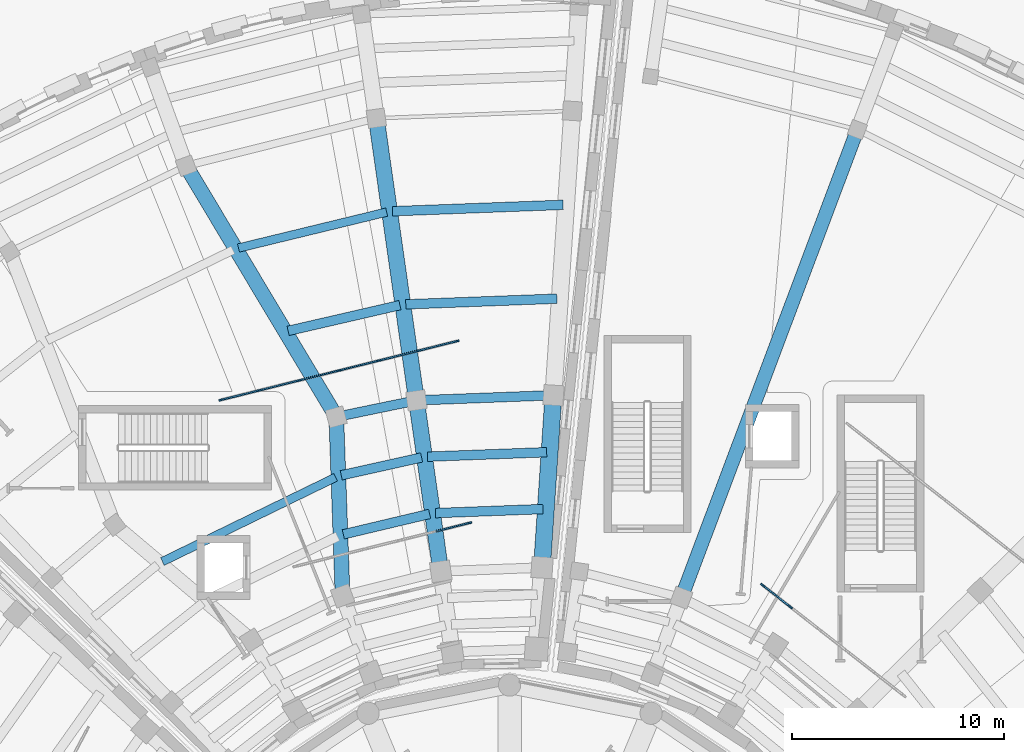
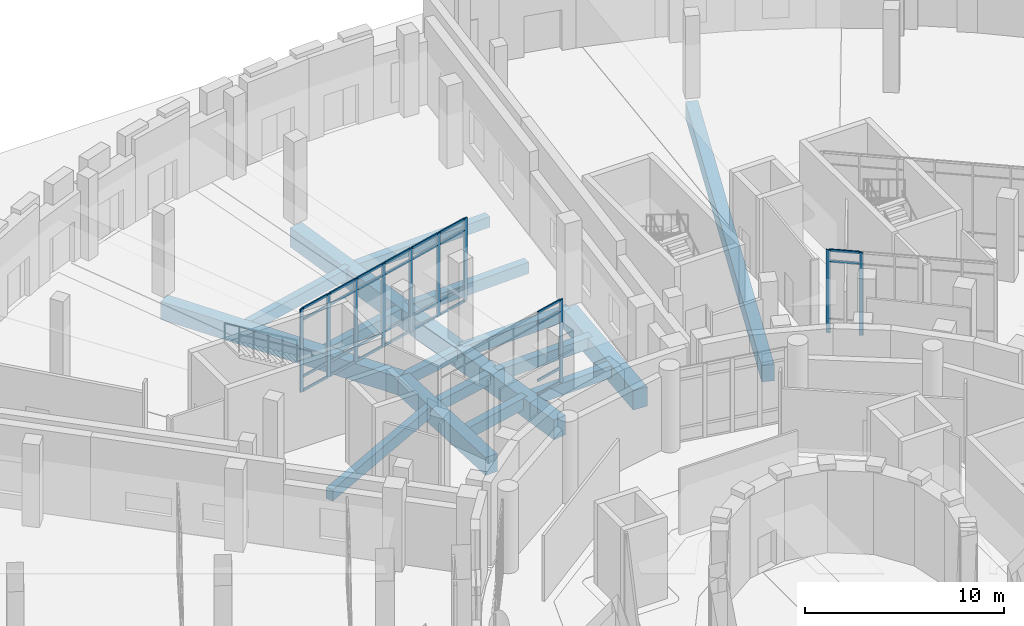
# One storey, part 25 of 74: 40 members, 17 beams, 3 elements without a shape of their own.
"""IFC4 building model written with IfcOpenShell, lengths in metres."""

import ifcopenshell
import ifcopenshell.guid

model = None  # the IFC model being written
_history = None  # IfcOwnerHistory: only IFC2X3 demands one
_inside = {}  # id of a spatial element -> (the spatial element, [elements in it])
_under = {}  # id of a project, library or spatial element -> (it, [spatial elements below it])
_declared = {}  # id of a project -> (the project, [libraries it declares])
_typed = {}  # id of a type object -> (the type object, [elements of that type])
_made_of = {}  # id of a material, layer set ... -> (it, [elements and type objects made of it])


def new_model(schema):
    """Start an empty IFC model of exactly this schema.

    Asked for "IFC4X3", IfcOpenShell would pick the latest addendum, in which some entities
    have other attributes; the version numbers below select the first issue.
    IFC2X3 requires an IfcOwnerHistory on every rooted entity: one is made here for all.
    """
    global model, _history
    if schema == "IFC4X3":
        model = ifcopenshell.file(schema_version=(4, 3, 0, 0))
    else:
        model = ifcopenshell.file(schema=schema)
    _inside.clear()
    _under.clear()
    _declared.clear()
    _typed.clear()
    _made_of.clear()
    _history = None
    if model.schema == "IFC2X3":
        org = make("IfcOrganization", Name="unknown")
        user = make(
            "IfcPersonAndOrganization",
            ThePerson=make("IfcPerson", FamilyName="unknown"),
            TheOrganization=org,
        )
        app = make(
            "IfcApplication",
            ApplicationDeveloper=org,
            Version="unknown",
            ApplicationFullName="unknown",
            ApplicationIdentifier="unknown",
        )
        _history = make(
            "IfcOwnerHistory",
            OwningUser=user,
            OwningApplication=app,
            ChangeAction="ADDED",
            CreationDate=0,
        )
    return model


def make(cls, **values):
    """One entity of the class cls with the attributes given. An attribute that is None is left unset."""
    return model.create_entity(
        cls, **{name: value for name, value in values.items() if value is not None}
    )


def rooted(cls, **values):
    """An entity with a GlobalId (a new one), such as an element, a storey or a relation."""
    return make(cls, GlobalId=ifcopenshell.guid.new(), OwnerHistory=_history, **values)


def si_unit(unit_type, name, prefix=None):
    """IfcSIUnit, for example si_unit("LENGTHUNIT", "METRE", prefix="MILLI")."""
    return make("IfcSIUnit", UnitType=unit_type, Prefix=prefix, Name=name)


def assignment(units):
    """IfcUnitAssignment: the units of a project."""
    return None if units is None else make("IfcUnitAssignment", Units=units)


def point(xyz):
    """IfcCartesianPoint."""
    return None if xyz is None else make("IfcCartesianPoint", Coordinates=xyz)


def direction(xyz):
    """IfcDirection."""
    return None if xyz is None else make("IfcDirection", DirectionRatios=xyz)


def frame(location, z_axis=None, x_axis=None):
    """IfcAxis2Placement3D, a coordinate frame: its origin and axes. An axis left out is left unset."""
    return make(
        "IfcAxis2Placement3D",
        Location=point(location),
        Axis=direction(z_axis),
        RefDirection=direction(x_axis),
    )


def frame_2d(location, x_axis=None):
    """IfcAxis2Placement2D, a coordinate frame in the plane: its origin and x axis."""
    return make(
        "IfcAxis2Placement2D", Location=point(location), RefDirection=direction(x_axis)
    )


def origin():
    """The frame at (0, 0, 0) with its axes left unset."""
    return frame((0.0, 0.0, 0.0))


def origin_2d():
    """The frame at (0, 0) in the plane with its x axis left unset."""
    return frame_2d((0.0, 0.0))


def place(relative_to, where):
    """IfcLocalPlacement: puts the frame where relative to a parent placement (None: the world)."""
    return make(
        "IfcLocalPlacement", PlacementRelTo=relative_to, RelativePlacement=where
    )


def context(
    kind, dimensions, precision=None, world=None, true_north=None, identifier=None
):
    """IfcGeometricRepresentationContext, for example the 3D "Model" context."""
    return make(
        "IfcGeometricRepresentationContext",
        ContextIdentifier=identifier,
        ContextType=kind,
        CoordinateSpaceDimension=dimensions,
        Precision=precision,
        WorldCoordinateSystem=world,
        TrueNorth=true_north,
    )


def subcontext(parent, identifier, kind, view, scale=None):
    """IfcGeometricRepresentationSubContext, for example "Body" below "Model"."""
    return make(
        "IfcGeometricRepresentationSubContext",
        ContextIdentifier=identifier,
        ContextType=kind,
        ParentContext=parent,
        TargetScale=scale,
        TargetView=view,
    )


def project(units=None, contexts=None):
    """IfcProject with its units and contexts."""
    return rooted(
        "IfcProject",
        Name="project",
        RepresentationContexts=contexts,
        UnitsInContext=assignment(units),
    )


def spatial(cls, under=None, at=None, **own):
    """A site, building, storey or space (cls), placed at a placement, below another one or the project."""
    s = rooted(cls, ObjectPlacement=at, **own)
    if under is not None:
        _under.setdefault(under.id(), (under, []))[1].append(s)
    return s


def profile(cls, at=None, kind="AREA", **sizes):
    """A parametric profile (cls). Its sizes go by their IFC names, for example OverallWidth=200.0."""
    return make(cls, ProfileType=kind, Position=at, **sizes)


def rectangle(**sizes):
    """IfcRectangleProfileDef."""
    return profile("IfcRectangleProfileDef", **sizes)


def extrude(swept, where, along, depth):
    """IfcExtrudedAreaSolid: the profile swept, set in the frame where, extruded along a direction by depth."""
    return make(
        "IfcExtrudedAreaSolid",
        SweptArea=swept,
        Position=where,
        ExtrudedDirection=direction(along),
        Depth=depth,
    )


def shape(context_of_items, identifier, shape_type, items):
    """IfcShapeRepresentation: the items that make up one representation, for example the "Body"."""
    return make(
        "IfcShapeRepresentation",
        ContextOfItems=context_of_items,
        RepresentationIdentifier=identifier,
        RepresentationType=shape_type,
        Items=items,
    )


def material(Name=None, Category=None):
    """IfcMaterial."""
    return make("IfcMaterial", Name=Name, Category=Category)


def material_profile(
    of_material, cross_section, Name=None, Category=None, Priority=None
):
    """IfcMaterialProfile: a cross section and its material."""
    return make(
        "IfcMaterialProfile",
        Name=Name,
        Material=of_material,
        Profile=cross_section,
        Priority=Priority,
        Category=Category,
    )


def profile_set(profiles, Name=None, composite=None):
    """IfcMaterialProfileSet."""
    return make(
        "IfcMaterialProfileSet",
        Name=Name,
        MaterialProfiles=profiles,
        CompositeProfile=composite,
    )


def made_of(thing, what):
    """Note that an element or type object is made of a material, layer set ...; save() writes the relation."""
    if what is not None:
        _made_of.setdefault(what.id(), (what, []))[1].append(thing)
    return thing


def type_object(cls, material=None, **own):
    """A type object (cls), such as IfcWallType, which elements share."""
    return made_of(rooted(cls, **own), material)


def element(
    cls,
    number,
    at=None,
    inside=None,
    cuts=None,
    type_object=None,
    material=None,
    context=None,
    identifier="Body",
    shape_type=None,
    held_by="IfcProductDefinitionShape",
    body=None,
    shapes=None,
    **own,
):
    """One element of the class cls, such as IfcWall. Its Tag is "e" and its number.

    at: its placement. inside: the storey or other place that contains it. cuts: it is an
    opening in that element (IfcRelVoidsElement). A single representation is given by context,
    identifier, shape_type and body (its items); several are given by shapes. held_by: the class
    of the entity that holds the representations. save() writes the other relations.
    """
    e = rooted(cls, Tag="e%d" % number, ObjectPlacement=at, **own)
    if body is not None:
        shapes = [shape(context, identifier, shape_type, body)]
    if shapes is not None:
        e.Representation = make(held_by, Representations=shapes)
    if inside is not None:
        _inside.setdefault(inside.id(), (inside, []))[1].append(e)
    if cuts is not None:
        rooted(
            "IfcRelVoidsElement", RelatingBuildingElement=cuts, RelatedOpeningElement=e
        )
    if type_object is not None:
        _typed.setdefault(type_object.id(), (type_object, []))[1].append(e)
    return made_of(e, material)


def aggregate(whole, parts):
    """IfcRelAggregates: a whole, such as a stair, and the parts it consists of."""
    return rooted("IfcRelAggregates", RelatingObject=whole, RelatedObjects=parts)


def save(model, path):
    """Write the relations noted so far, then the file.

    IfcRelAggregates (storeys below a building ...), IfcRelContainedInSpatialStructure (elements
    in a storey), IfcRelDefinesByType, IfcRelAssociatesMaterial and IfcRelDeclares: one each for
    every whole, place, type object, material and project.
    """
    for whole, parts in _under.values():
        aggregate(whole, parts)
    for where, things in _inside.values():
        rooted(
            "IfcRelContainedInSpatialStructure",
            RelatedElements=things,
            RelatingStructure=where,
        )
    for kind, things in _typed.values():
        rooted("IfcRelDefinesByType", RelatedObjects=things, RelatingType=kind)
    for what, things in _made_of.values():
        rooted("IfcRelAssociatesMaterial", RelatedObjects=things, RelatingMaterial=what)
    for by, libraries in _declared.values():
        rooted("IfcRelDeclares", RelatingContext=by, RelatedDefinitions=libraries)
    model.write(path)


model = new_model("IFC4")

# Units and contexts
model_context = context("Model", 3, precision=1e-05, world=origin(), true_north=direction((0.0, 1.0)))
body_context = subcontext(model_context, "Body", "Model", "MODEL_VIEW")
ifc_project = project(units=[si_unit("LENGTHUNIT", "METRE"), si_unit("AREAUNIT", "SQUARE_METRE"), si_unit("VOLUMEUNIT", "CUBIC_METRE"), si_unit("PLANEANGLEUNIT", "RADIAN"), si_unit("MASSUNIT", "GRAM", prefix="KILO")], contexts=[model_context])

# Site, building, storey
site_placement = place(None, origin())
site = spatial("IfcSite", under=ifc_project, at=site_placement, CompositionType="ELEMENT")
building_placement = place(site_placement, origin())
building = spatial("IfcBuilding", under=site, at=building_placement, Name="Soyqirgoq Riverine Aquarium", CompositionType="ELEMENT")
storey_placement = place(building_placement, origin())
storey = spatial("IfcBuildingStorey", under=building, at=storey_placement, Name="L01", CompositionType="ELEMENT", Elevation=0.0)

# Beams
ifc_material_1 = material(Name="Concrete C40/50", Category="concrete")
ifc_material_profile_1 = material_profile(ifc_material_1, rectangle(XDim=0.39990234375, YDim=0.699951171875, at=origin_2d()), Name="RC 400x700")
ifc_profile_set_1 = profile_set([ifc_material_profile_1], Name="Concrete C40/50")
beam_type_1 = type_object("IfcBeamType", Name="Beam_RC_400x700", PredefinedType="BEAM", material=ifc_profile_set_1)
beam_1_placement = place(storey_placement, frame((47.791748046875, 84.25927734375, -0.699951171875), z_axis=(-0.899175148102, -0.437588908722, 0.0), x_axis=(0.437588908722, -0.899175148102, 0.0)))
element("IfcBeam", 1, at=beam_1_placement, inside=storey, type_object=beam_type_1, Name="V4 L01 Secondary Floor Joist 0507", PredefinedType="BEAM", context=body_context, shape_type="SweptSolid", body=[
    extrude(rectangle(XDim=0.39990234375, YDim=0.699951171875, at=origin_2d()), origin(), (0.0, 0.0, 1.0), 9.09521484375),
])
beam_2_placement = place(storey_placement, frame((50.197998046875, 96.77734375, -0.699951171875), z_axis=(-0.971787927417, -0.235856363336, 0.0), x_axis=(0.235856363336, -0.971787927417, 0.0)))
element("IfcBeam", 2, at=beam_2_placement, inside=storey, type_object=beam_type_1, Name="V4 L01 Secondary Floor Joist 0516", PredefinedType="BEAM", context=body_context, shape_type="SweptSolid", body=[
    extrude(rectangle(XDim=0.39990234375, YDim=0.699951171875, at=origin_2d()), origin(), (0.0, 0.0, 1.0), 7.1962890625),
])
ifc_material_2 = material(Name="Concrete C40/50", Category="concrete")
ifc_material_profile_2 = material_profile(ifc_material_2, rectangle(XDim=0.449951171875, YDim=0.64990234375, at=origin_2d()), Name="RC 450x650")
ifc_profile_set_2 = profile_set([ifc_material_profile_2], Name="Concrete C40/50")
beam_type_2 = type_object("IfcBeamType", Name="Beam_RC_450x650", PredefinedType="BEAM", material=ifc_profile_set_2)
beam_3_placement = place(storey_placement, frame((51.84619140625, 85.195556640625, -0.675048828125), z_axis=(-0.976074551465, -0.217436128513, 0.0), x_axis=(0.217436128513, -0.976074551465, 0.0)))
element("IfcBeam", 3, at=beam_3_placement, inside=storey, type_object=beam_type_2, Name="V4 L01 Secondary Floor Joist 0505", PredefinedType="BEAM", context=body_context, shape_type="SweptSolid", body=[
    extrude(rectangle(XDim=0.449951171875, YDim=0.64990234375, at=origin_2d()), origin(), (0.0, 0.0, 1.0), 3.885009765625),
])
beam_4_placement = place(storey_placement, frame((51.554931640625, 87.878662109375, -0.675048828125), z_axis=(-0.979400860491, -0.20192561618, 0.0), x_axis=(0.20192561618, -0.979400860491, 0.0)))
element("IfcBeam", 4, at=beam_4_placement, inside=storey, type_object=beam_type_2, Name="V4 L01 Wedge Chord Beam 0511", PredefinedType="BEAM", context=body_context, shape_type="SweptSolid", body=[
    extrude(rectangle(XDim=0.449951171875, YDim=0.64990234375, at=origin_2d()), origin(), (0.0, 0.0, 1.0), 3.763916015625),
])
beam_5_placement = place(storey_placement, frame((58.52490234375, 97.117919921875, -0.675048828125), z_axis=(-0.999296026099, -0.03751602621, 0.0), x_axis=(0.03751602621, -0.999296026099, 0.0)))
element("IfcBeam", 5, at=beam_5_placement, inside=storey, type_object=beam_type_2, Name="V4 L01 Secondary Floor Joist 0514", PredefinedType="BEAM", context=body_context, shape_type="SweptSolid", body=[
    extrude(rectangle(XDim=0.449951171875, YDim=0.64990234375, at=origin_2d()), origin(), (0.0, 0.0, 1.0), 8.056396484375),
])
beam_6_placement = place(storey_placement, frame((50.822998046875, 92.384765625, -0.675048828125), z_axis=(-0.974458007266, -0.224569793329, 0.0), x_axis=(0.224569793329, -0.974458007266, 0.0)))
element("IfcBeam", 6, at=beam_6_placement, inside=storey, type_object=beam_type_2, Name="V4 L01 Secondary Floor Joist 0515", PredefinedType="BEAM", context=body_context, shape_type="SweptSolid", body=[
    extrude(rectangle(XDim=0.449951171875, YDim=0.64990234375, at=origin_2d()), origin(), (0.0, 0.0, 1.0), 5.416259765625),
])
ifc_material_3 = material(Name="Concrete C40/50", Category="concrete")
ifc_material_profile_3 = material_profile(ifc_material_3, rectangle(XDim=0.449951171875, YDim=0.699951171875, at=origin_2d()), Name="RC 450x700")
ifc_profile_set_3 = profile_set([ifc_material_profile_3], Name="Concrete C40/50")
beam_type_3 = type_object("IfcBeamType", Name="Beam_RC_450x700", PredefinedType="BEAM", material=ifc_profile_set_3)
beam_7_placement = place(storey_placement, frame((57.74951171875, 85.442626953125, -0.699951171875), z_axis=(-0.999294791735, -0.037548890946, 0.0), x_axis=(0.037548890946, -0.999294791735, 0.0)))
element("IfcBeam", 7, at=beam_7_placement, inside=storey, type_object=beam_type_3, Name="V4 L01 Secondary Floor Joist 0503", PredefinedType="BEAM", context=body_context, shape_type="SweptSolid", body=[
    extrude(rectangle(XDim=0.449951171875, YDim=0.699951171875, at=origin_2d()), origin(), (0.0, 0.0, 1.0), 5.630615234375),
])
beam_8_placement = place(storey_placement, frame((52.2255859375, 82.531005859375, -0.699951171875), z_axis=(-0.973004184132, -0.230787472931, 0.0), x_axis=(0.230787472931, -0.973004184132, 0.0)))
element("IfcBeam", 8, at=beam_8_placement, inside=storey, type_object=beam_type_3, Name="V4 L01 Secondary Floor Joist 0504", PredefinedType="BEAM", context=body_context, shape_type="SweptSolid", body=[
    extrude(rectangle(XDim=0.449951171875, YDim=0.699951171875, at=origin_2d()), origin(), (0.0, 0.0, 1.0), 4.18701171875),
])
beam_9_placement = place(storey_placement, frame((58.017578125, 88.12939453125, -0.699951171875), z_axis=(-0.999296861804, -0.037493759336, 0.0), x_axis=(0.037493759336, -0.999296861804, 0.0)))
element("IfcBeam", 9, at=beam_9_placement, inside=storey, type_object=beam_type_3, Name="V4 L01 Wedge Chord Beam 0510", PredefinedType="BEAM", context=body_context, shape_type="SweptSolid", body=[
    extrude(rectangle(XDim=0.449951171875, YDim=0.699951171875, at=origin_2d()), origin(), (0.0, 0.0, 1.0), 6.3681640625),
])
beam_10_placement = place(storey_placement, frame((58.23095703125, 92.689208984375, -0.699951171875), z_axis=(-0.999295532378, -0.037529174906, 0.0), x_axis=(0.037529174906, -0.999295532378, 0.0)))
element("IfcBeam", 10, at=beam_10_placement, inside=storey, type_object=beam_type_3, Name="V4 L01 Secondary Floor Joist 0513", PredefinedType="BEAM", context=body_context, shape_type="SweptSolid", body=[
    extrude(rectangle(XDim=0.449951171875, YDim=0.699951171875, at=origin_2d()), origin(), (0.0, 0.0, 1.0), 7.136474609375),
])
ifc_material_4 = material(Name="Concrete C40/50", Category="concrete")
ifc_material_profile_4 = material_profile(ifc_material_4, rectangle(XDim=0.449951171875, YDim=0.75, at=origin_2d()), Name="RC 450x750")
ifc_profile_set_4 = profile_set([ifc_material_profile_4], Name="Concrete C40/50")
beam_type_4 = type_object("IfcBeamType", Name="Beam_RC_450x750", PredefinedType="BEAM", material=ifc_profile_set_4)
beam_11_placement = place(storey_placement, frame((57.5712890625, 82.759033203125, -0.72509765625), z_axis=(-0.999295248441, -0.037536734591, 0.0), x_axis=(0.037536734591, -0.999295248441, 0.0)))
element("IfcBeam", 11, at=beam_11_placement, inside=storey, type_object=beam_type_4, Name="V4 L01 Secondary Floor Joist 0502", PredefinedType="BEAM", context=body_context, shape_type="SweptSolid", body=[
    extrude(rectangle(XDim=0.449951171875, YDim=0.75, at=origin_2d()), origin(), (0.0, 0.0, 1.0), 5.0732421875),
])

# Curtain wall, member
ifc_material_5 = material(Name="Cast polymethyl methacrylate PMMA Habitat Viewing Glazing", Category="glass")
curtain_wall_type = type_object("IfcCurtainWallType", Name="CW_Interior_TankVitrine", PredefinedType="NOTDEFINED", material=ifc_material_5)
curtain_wall_1_placement = place(storey_placement, origin())
curtain_wall_1 = element("IfcCurtainWall", 12, at=curtain_wall_1_placement, inside=storey, type_object=curtain_wall_type, Name="V4 L01 Curtain Wall 151", PredefinedType="NOTDEFINED")
ifc_material_6 = material(Name="Anodised aluminium 6063-T6", Category="aluminium")
ifc_material_profile_5 = material_profile(ifc_material_6, rectangle(XDim=0.080078125, YDim=0.219970703125, at=origin_2d()), Name="ALU-M 80x220")
ifc_profile_set_5 = profile_set([ifc_material_profile_5], Name="Anodised aluminium 6063-T6")
member_type_1 = type_object("IfcMemberType", Name="CWMullion_80x220", PredefinedType="MULLION", material=ifc_profile_set_5)
member_1_placement = place(storey_placement, frame((54.106201171875, 82.104736328125, 0.0), z_axis=(0.0, 0.0, 1.0), x_axis=(0.241922023881, -0.970295694292, 0.0)))
member_1 = element("IfcMember", 13, at=member_1_placement, type_object=member_type_1, Name="CW-07 mullion 1", PredefinedType="MULLION", context=body_context, shape_type="SweptSolid", body=[
    extrude(rectangle(XDim=0.080078125, YDim=0.219970703125, at=origin_2d()), origin(), (0.0, 0.0, 1.0), 5.10009765625),
])

# Curtain wall, members
curtain_wall_2_placement = place(storey_placement, origin())
curtain_wall_2 = element("IfcCurtainWall", 14, at=curtain_wall_2_placement, inside=storey, type_object=curtain_wall_type, Name="V4 L01 Curtain Wall 152", PredefinedType="NOTDEFINED")
member_2_placement = place(storey_placement, frame((53.50634765625, 90.683837890625, 0.0), z_axis=(0.0, 0.0, 1.0), x_axis=(0.241925862079, -0.970294737313, 0.0)))
member_2 = element("IfcMember", 15, at=member_2_placement, type_object=member_type_1, Name="CW-07 mullion 1", PredefinedType="MULLION", context=body_context, shape_type="SweptSolid", body=[
    extrude(rectangle(XDim=0.080078125, YDim=0.219970703125, at=origin_2d()), origin(), (0.0, 0.0, 1.0), 5.10009765625),
])
member_3_placement = place(storey_placement, frame((51.67919921875, 90.228271484375, 0.0), z_axis=(0.0, 0.0, 1.0), x_axis=(0.241925862079, -0.970294737313, 0.0)))
member_3 = element("IfcMember", 16, at=member_3_placement, type_object=member_type_1, Name="CW-07 mullion 2", PredefinedType="MULLION", context=body_context, shape_type="SweptSolid", body=[
    extrude(rectangle(XDim=0.080078125, YDim=0.219970703125, at=origin_2d()), origin(), (0.0, 0.0, 1.0), 5.10009765625),
])
member_4_placement = place(storey_placement, frame((49.813232421875, 89.762939453125, 0.0), z_axis=(0.0, 0.0, 1.0), x_axis=(0.241925862079, -0.970294737313, 0.0)))
member_4 = element("IfcMember", 17, at=member_4_placement, type_object=member_type_1, Name="CW-07 mullion 3", PredefinedType="MULLION", context=body_context, shape_type="SweptSolid", body=[
    extrude(rectangle(XDim=0.080078125, YDim=0.219970703125, at=origin_2d()), origin(), (0.0, 0.0, 1.0), 5.10009765625),
])
member_5_placement = place(storey_placement, frame((47.947265625, 89.2978515625, 0.0), z_axis=(0.0, 0.0, 1.0), x_axis=(0.241925862079, -0.970294737313, 0.0)))
member_5 = element("IfcMember", 18, at=member_5_placement, type_object=member_type_1, Name="CW-07 mullion 4", PredefinedType="MULLION", context=body_context, shape_type="SweptSolid", body=[
    extrude(rectangle(XDim=0.080078125, YDim=0.219970703125, at=origin_2d()), origin(), (0.0, 0.0, 1.0), 5.10009765625),
])
member_6_placement = place(storey_placement, frame((46.081298828125, 88.83251953125, 0.0), z_axis=(0.0, 0.0, 1.0), x_axis=(0.241925862079, -0.970294737313, 0.0)))
member_6 = element("IfcMember", 19, at=member_6_placement, type_object=member_type_1, Name="CW-07 mullion 5", PredefinedType="MULLION", context=body_context, shape_type="SweptSolid", body=[
    extrude(rectangle(XDim=0.080078125, YDim=0.219970703125, at=origin_2d()), origin(), (0.0, 0.0, 1.0), 5.10009765625),
])
member_7_placement = place(storey_placement, frame((44.21533203125, 88.3671875, 0.0), z_axis=(0.0, 0.0, 1.0), x_axis=(0.241925862079, -0.970294737313, 0.0)))
member_7 = element("IfcMember", 20, at=member_7_placement, type_object=member_type_1, Name="CW-07 mullion 6", PredefinedType="MULLION", context=body_context, shape_type="SweptSolid", body=[
    extrude(rectangle(XDim=0.080078125, YDim=0.219970703125, at=origin_2d()), origin(), (0.0, 0.0, 1.0), 5.10009765625),
])
member_8_placement = place(storey_placement, frame((42.38818359375, 87.91162109375, 0.0), z_axis=(0.0, 0.0, 1.0), x_axis=(0.241925862079, -0.970294737313, 0.0)))
member_8 = element("IfcMember", 21, at=member_8_placement, type_object=member_type_1, Name="CW-07 mullion 7", PredefinedType="MULLION", context=body_context, shape_type="SweptSolid", body=[
    extrude(rectangle(XDim=0.080078125, YDim=0.219970703125, at=origin_2d()), origin(), (0.0, 0.0, 1.0), 5.10009765625),
])

curtain_wall_3_placement = place(storey_placement, origin())
curtain_wall_3 = element("IfcCurtainWall", 22, at=curtain_wall_3_placement, inside=storey, type_object=curtain_wall_type, Name="V5 L01 Curtain Wall 157", PredefinedType="NOTDEFINED")
member_9_placement = place(storey_placement, frame((69.25732421875, 78.1357421875, 0.0), z_axis=(0.0, 0.0, 1.0), x_axis=(-0.615661060826, -0.788011077449, 0.0)))
member_9 = element("IfcMember", 23, at=member_9_placement, type_object=member_type_1, Name="CW-07 mullion 5", PredefinedType="MULLION", context=body_context, shape_type="SweptSolid", body=[
    extrude(rectangle(XDim=0.080078125, YDim=0.219970703125, at=origin_2d()), origin(), (0.0, 0.0, 1.0), 5.10009765625),
])
member_10_placement = place(storey_placement, frame((67.94091796875, 79.1640625, 0.0), z_axis=(0.0, 0.0, 1.0), x_axis=(-0.615661060826, -0.788011077449, 0.0)))
member_10 = element("IfcMember", 24, at=member_10_placement, type_object=member_type_1, Name="CW-07 mullion 6", PredefinedType="MULLION", context=body_context, shape_type="SweptSolid", body=[
    extrude(rectangle(XDim=0.080078125, YDim=0.219970703125, at=origin_2d()), origin(), (0.0, 0.0, 1.0), 5.10009765625),
])

# Member
ifc_material_7 = material(Name="Anodised aluminium 6063-T6", Category="aluminium")
ifc_material_profile_6 = material_profile(ifc_material_7, rectangle(XDim=0.074951171875, YDim=0.14990234375, at=origin_2d()), Name="ALU-T 75x150")
ifc_profile_set_6 = profile_set([ifc_material_profile_6], Name="Anodised aluminium 6063-T6")
member_type_2 = type_object("IfcMemberType", Name="CWTransom_75x150", PredefinedType="USERDEFINED", material=ifc_profile_set_6)
member_11_placement = place(storey_placement, frame((54.0673828125, 82.094970703125, 0.03759765625), z_axis=(-0.970286823405, -0.241957600267, 0.0), x_axis=(0.241957600267, -0.970286823405, 0.0)))
member_11 = element("IfcMember", 25, at=member_11_placement, type_object=member_type_2, Name="CW-07 transom 1.1", ObjectType="TRANSOM", PredefinedType="USERDEFINED", context=body_context, shape_type="SweptSolid", body=[
    extrude(rectangle(XDim=0.074951171875, YDim=0.14990234375, at=origin_2d()), origin(), (0.0, 0.0, 1.0), 1.59033203125),
])

member_12_placement = place(storey_placement, frame((54.0673828125, 82.094970703125, 0.89990234375), z_axis=(-0.970286823405, -0.241957600267, 0.0), x_axis=(0.241957600267, -0.970286823405, 0.0)))
member_12 = element("IfcMember", 26, at=member_12_placement, type_object=member_type_2, Name="CW-07 transom 1.2", ObjectType="TRANSOM", PredefinedType="USERDEFINED", context=body_context, shape_type="SweptSolid", body=[
    extrude(rectangle(XDim=0.074951171875, YDim=0.14990234375, at=origin_2d()), origin(), (0.0, 0.0, 1.0), 1.59033203125),
])

member_13_placement = place(storey_placement, frame((54.0673828125, 82.094970703125, 4.39990234375), z_axis=(-0.970286823405, -0.241957600267, 0.0), x_axis=(0.241957600267, -0.970286823405, 0.0)))
member_13 = element("IfcMember", 27, at=member_13_placement, type_object=member_type_2, Name="CW-07 transom 1.3", ObjectType="TRANSOM", PredefinedType="USERDEFINED", context=body_context, shape_type="SweptSolid", body=[
    extrude(rectangle(XDim=0.074951171875, YDim=0.14990234375, at=origin_2d()), origin(), (0.0, 0.0, 1.0), 1.59033203125),
])

member_14_placement = place(storey_placement, frame((54.0673828125, 82.094970703125, 5.0625), z_axis=(-0.970286823405, -0.241957600267, 0.0), x_axis=(0.241957600267, -0.970286823405, 0.0)))
member_14 = element("IfcMember", 28, at=member_14_placement, type_object=member_type_2, Name="CW-07 transom 1.4", ObjectType="TRANSOM", PredefinedType="USERDEFINED", context=body_context, shape_type="SweptSolid", body=[
    extrude(rectangle(XDim=0.074951171875, YDim=0.14990234375, at=origin_2d()), origin(), (0.0, 0.0, 1.0), 1.59033203125),
])

aggregate(curtain_wall_1, [member_1, member_11, member_12, member_13, member_14])

member_15_placement = place(storey_placement, frame((53.467529296875, 90.674072265625, 0.03759765625), z_axis=(-0.970317477886, -0.241834637944, 0.0), x_axis=(0.241834637944, -0.970317477886, 0.0)))
member_15 = element("IfcMember", 29, at=member_15_placement, type_object=member_type_2, Name="CW-07 transom 1.1", ObjectType="TRANSOM", PredefinedType="USERDEFINED", context=body_context, shape_type="SweptSolid", body=[
    extrude(rectangle(XDim=0.074951171875, YDim=0.14990234375, at=origin_2d()), origin(), (0.0, 0.0, 1.0), 1.802978515625),
])

member_16_placement = place(storey_placement, frame((53.467529296875, 90.674072265625, 0.89990234375), z_axis=(-0.970317477886, -0.241834637944, 0.0), x_axis=(0.241834637944, -0.970317477886, 0.0)))
member_16 = element("IfcMember", 30, at=member_16_placement, type_object=member_type_2, Name="CW-07 transom 1.2", ObjectType="TRANSOM", PredefinedType="USERDEFINED", context=body_context, shape_type="SweptSolid", body=[
    extrude(rectangle(XDim=0.074951171875, YDim=0.14990234375, at=origin_2d()), origin(), (0.0, 0.0, 1.0), 1.802978515625),
])

member_17_placement = place(storey_placement, frame((53.467529296875, 90.674072265625, 4.39990234375), z_axis=(-0.970317477886, -0.241834637944, 0.0), x_axis=(0.241834637944, -0.970317477886, 0.0)))
member_17 = element("IfcMember", 31, at=member_17_placement, type_object=member_type_2, Name="CW-07 transom 1.3", ObjectType="TRANSOM", PredefinedType="USERDEFINED", context=body_context, shape_type="SweptSolid", body=[
    extrude(rectangle(XDim=0.074951171875, YDim=0.14990234375, at=origin_2d()), origin(), (0.0, 0.0, 1.0), 1.802978515625),
])

member_18_placement = place(storey_placement, frame((53.467529296875, 90.674072265625, 5.0625), z_axis=(-0.970317477886, -0.241834637944, 0.0), x_axis=(0.241834637944, -0.970317477886, 0.0)))
member_18 = element("IfcMember", 32, at=member_18_placement, type_object=member_type_2, Name="CW-07 transom 1.4", ObjectType="TRANSOM", PredefinedType="USERDEFINED", context=body_context, shape_type="SweptSolid", body=[
    extrude(rectangle(XDim=0.074951171875, YDim=0.14990234375, at=origin_2d()), origin(), (0.0, 0.0, 1.0), 1.802978515625),
])

member_19_placement = place(storey_placement, frame((51.640380859375, 90.218505859375, 0.03759765625), z_axis=(-0.970305912546, -0.241881037039, 0.0), x_axis=(0.241881037039, -0.970305912546, 0.0)))
member_19 = element("IfcMember", 33, at=member_19_placement, type_object=member_type_2, Name="CW-07 transom 2.1", ObjectType="TRANSOM", PredefinedType="USERDEFINED", context=body_context, shape_type="SweptSolid", body=[
    extrude(rectangle(XDim=0.074951171875, YDim=0.14990234375, at=origin_2d()), origin(), (0.0, 0.0, 1.0), 1.843017578125),
])

member_20_placement = place(storey_placement, frame((51.640380859375, 90.218505859375, 0.89990234375), z_axis=(-0.970305912546, -0.241881037039, 0.0), x_axis=(0.241881037039, -0.970305912546, 0.0)))
member_20 = element("IfcMember", 34, at=member_20_placement, type_object=member_type_2, Name="CW-07 transom 2.2", ObjectType="TRANSOM", PredefinedType="USERDEFINED", context=body_context, shape_type="SweptSolid", body=[
    extrude(rectangle(XDim=0.074951171875, YDim=0.14990234375, at=origin_2d()), origin(), (0.0, 0.0, 1.0), 1.843017578125),
])

member_21_placement = place(storey_placement, frame((51.640380859375, 90.218505859375, 4.39990234375), z_axis=(-0.970305912546, -0.241881037039, 0.0), x_axis=(0.241881037039, -0.970305912546, 0.0)))
member_21 = element("IfcMember", 35, at=member_21_placement, type_object=member_type_2, Name="CW-07 transom 2.3", ObjectType="TRANSOM", PredefinedType="USERDEFINED", context=body_context, shape_type="SweptSolid", body=[
    extrude(rectangle(XDim=0.074951171875, YDim=0.14990234375, at=origin_2d()), origin(), (0.0, 0.0, 1.0), 1.843017578125),
])

member_22_placement = place(storey_placement, frame((51.640380859375, 90.218505859375, 5.0625), z_axis=(-0.970305912546, -0.241881037039, 0.0), x_axis=(0.241881037039, -0.970305912546, 0.0)))
member_22 = element("IfcMember", 36, at=member_22_placement, type_object=member_type_2, Name="CW-07 transom 2.4", ObjectType="TRANSOM", PredefinedType="USERDEFINED", context=body_context, shape_type="SweptSolid", body=[
    extrude(rectangle(XDim=0.074951171875, YDim=0.14990234375, at=origin_2d()), origin(), (0.0, 0.0, 1.0), 1.843017578125),
])

member_23_placement = place(storey_placement, frame((49.7744140625, 89.75341796875, 0.03759765625), z_axis=(-0.970274816184, -0.242005745962, 0.0), x_axis=(0.242005745962, -0.970274816184, 0.0)))
member_23 = element("IfcMember", 37, at=member_23_placement, type_object=member_type_2, Name="CW-07 transom 3.1", ObjectType="TRANSOM", PredefinedType="USERDEFINED", context=body_context, shape_type="SweptSolid", body=[
    extrude(rectangle(XDim=0.074951171875, YDim=0.14990234375, at=origin_2d()), origin(), (0.0, 0.0, 1.0), 1.843017578125),
])

member_24_placement = place(storey_placement, frame((49.7744140625, 89.75341796875, 0.89990234375), z_axis=(-0.970274816184, -0.242005745962, 0.0), x_axis=(0.242005745962, -0.970274816184, 0.0)))
member_24 = element("IfcMember", 38, at=member_24_placement, type_object=member_type_2, Name="CW-07 transom 3.2", ObjectType="TRANSOM", PredefinedType="USERDEFINED", context=body_context, shape_type="SweptSolid", body=[
    extrude(rectangle(XDim=0.074951171875, YDim=0.14990234375, at=origin_2d()), origin(), (0.0, 0.0, 1.0), 1.843017578125),
])

member_25_placement = place(storey_placement, frame((49.7744140625, 89.75341796875, 4.39990234375), z_axis=(-0.970274816184, -0.242005745962, 0.0), x_axis=(0.242005745962, -0.970274816184, 0.0)))
member_25 = element("IfcMember", 39, at=member_25_placement, type_object=member_type_2, Name="CW-07 transom 3.3", ObjectType="TRANSOM", PredefinedType="USERDEFINED", context=body_context, shape_type="SweptSolid", body=[
    extrude(rectangle(XDim=0.074951171875, YDim=0.14990234375, at=origin_2d()), origin(), (0.0, 0.0, 1.0), 1.843017578125),
])

member_26_placement = place(storey_placement, frame((49.7744140625, 89.75341796875, 5.0625), z_axis=(-0.970274816184, -0.242005745962, 0.0), x_axis=(0.242005745962, -0.970274816184, 0.0)))
member_26 = element("IfcMember", 40, at=member_26_placement, type_object=member_type_2, Name="CW-07 transom 3.4", ObjectType="TRANSOM", PredefinedType="USERDEFINED", context=body_context, shape_type="SweptSolid", body=[
    extrude(rectangle(XDim=0.074951171875, YDim=0.14990234375, at=origin_2d()), origin(), (0.0, 0.0, 1.0), 1.843017578125),
])

member_27_placement = place(storey_placement, frame((47.908447265625, 89.2880859375, 0.03759765625), z_axis=(-0.970305912546, -0.241881037039, 0.0), x_axis=(0.241881037039, -0.970305912546, 0.0)))
member_27 = element("IfcMember", 41, at=member_27_placement, type_object=member_type_2, Name="CW-07 transom 4.1", ObjectType="TRANSOM", PredefinedType="USERDEFINED", context=body_context, shape_type="SweptSolid", body=[
    extrude(rectangle(XDim=0.074951171875, YDim=0.14990234375, at=origin_2d()), origin(), (0.0, 0.0, 1.0), 1.843017578125),
])

member_28_placement = place(storey_placement, frame((47.908447265625, 89.2880859375, 0.89990234375), z_axis=(-0.970305912546, -0.241881037039, 0.0), x_axis=(0.241881037039, -0.970305912546, 0.0)))
member_28 = element("IfcMember", 42, at=member_28_placement, type_object=member_type_2, Name="CW-07 transom 4.2", ObjectType="TRANSOM", PredefinedType="USERDEFINED", context=body_context, shape_type="SweptSolid", body=[
    extrude(rectangle(XDim=0.074951171875, YDim=0.14990234375, at=origin_2d()), origin(), (0.0, 0.0, 1.0), 1.843017578125),
])

member_29_placement = place(storey_placement, frame((47.908447265625, 89.2880859375, 4.39990234375), z_axis=(-0.970305912546, -0.241881037039, 0.0), x_axis=(0.241881037039, -0.970305912546, 0.0)))
member_29 = element("IfcMember", 43, at=member_29_placement, type_object=member_type_2, Name="CW-07 transom 4.3", ObjectType="TRANSOM", PredefinedType="USERDEFINED", context=body_context, shape_type="SweptSolid", body=[
    extrude(rectangle(XDim=0.074951171875, YDim=0.14990234375, at=origin_2d()), origin(), (0.0, 0.0, 1.0), 1.843017578125),
])

member_30_placement = place(storey_placement, frame((47.908447265625, 89.2880859375, 5.0625), z_axis=(-0.970305912546, -0.241881037039, 0.0), x_axis=(0.241881037039, -0.970305912546, 0.0)))
member_30 = element("IfcMember", 44, at=member_30_placement, type_object=member_type_2, Name="CW-07 transom 4.4", ObjectType="TRANSOM", PredefinedType="USERDEFINED", context=body_context, shape_type="SweptSolid", body=[
    extrude(rectangle(XDim=0.074951171875, YDim=0.14990234375, at=origin_2d()), origin(), (0.0, 0.0, 1.0), 1.843017578125),
])

member_31_placement = place(storey_placement, frame((46.04248046875, 88.82275390625, 0.03759765625), z_axis=(-0.970305912546, -0.241881037039, 0.0), x_axis=(0.241881037039, -0.970305912546, 0.0)))
member_31 = element("IfcMember", 45, at=member_31_placement, type_object=member_type_2, Name="CW-07 transom 5.1", ObjectType="TRANSOM", PredefinedType="USERDEFINED", context=body_context, shape_type="SweptSolid", body=[
    extrude(rectangle(XDim=0.074951171875, YDim=0.14990234375, at=origin_2d()), origin(), (0.0, 0.0, 1.0), 1.843017578125),
])

member_32_placement = place(storey_placement, frame((46.04248046875, 88.82275390625, 0.89990234375), z_axis=(-0.970305912546, -0.241881037039, 0.0), x_axis=(0.241881037039, -0.970305912546, 0.0)))
member_32 = element("IfcMember", 46, at=member_32_placement, type_object=member_type_2, Name="CW-07 transom 5.2", ObjectType="TRANSOM", PredefinedType="USERDEFINED", context=body_context, shape_type="SweptSolid", body=[
    extrude(rectangle(XDim=0.074951171875, YDim=0.14990234375, at=origin_2d()), origin(), (0.0, 0.0, 1.0), 1.843017578125),
])

member_33_placement = place(storey_placement, frame((46.04248046875, 88.82275390625, 4.39990234375), z_axis=(-0.970305912546, -0.241881037039, 0.0), x_axis=(0.241881037039, -0.970305912546, 0.0)))
member_33 = element("IfcMember", 47, at=member_33_placement, type_object=member_type_2, Name="CW-07 transom 5.3", ObjectType="TRANSOM", PredefinedType="USERDEFINED", context=body_context, shape_type="SweptSolid", body=[
    extrude(rectangle(XDim=0.074951171875, YDim=0.14990234375, at=origin_2d()), origin(), (0.0, 0.0, 1.0), 1.843017578125),
])

member_34_placement = place(storey_placement, frame((46.04248046875, 88.82275390625, 5.0625), z_axis=(-0.970305912546, -0.241881037039, 0.0), x_axis=(0.241881037039, -0.970305912546, 0.0)))
member_34 = element("IfcMember", 48, at=member_34_placement, type_object=member_type_2, Name="CW-07 transom 5.4", ObjectType="TRANSOM", PredefinedType="USERDEFINED", context=body_context, shape_type="SweptSolid", body=[
    extrude(rectangle(XDim=0.074951171875, YDim=0.14990234375, at=origin_2d()), origin(), (0.0, 0.0, 1.0), 1.843017578125),
])

member_35_placement = place(storey_placement, frame((44.176513671875, 88.357666015625, 0.03759765625), z_axis=(-0.970285696734, -0.241962118345, 0.0), x_axis=(0.241962118345, -0.970285696734, 0.0)))
member_35 = element("IfcMember", 49, at=member_35_placement, type_object=member_type_2, Name="CW-07 transom 6.1", ObjectType="TRANSOM", PredefinedType="USERDEFINED", context=body_context, shape_type="SweptSolid", body=[
    extrude(rectangle(XDim=0.074951171875, YDim=0.14990234375, at=origin_2d()), origin(), (0.0, 0.0, 1.0), 1.802978515625),
])

member_36_placement = place(storey_placement, frame((44.176513671875, 88.357666015625, 0.89990234375), z_axis=(-0.970285696734, -0.241962118345, 0.0), x_axis=(0.241962118345, -0.970285696734, 0.0)))
member_36 = element("IfcMember", 50, at=member_36_placement, type_object=member_type_2, Name="CW-07 transom 6.2", ObjectType="TRANSOM", PredefinedType="USERDEFINED", context=body_context, shape_type="SweptSolid", body=[
    extrude(rectangle(XDim=0.074951171875, YDim=0.14990234375, at=origin_2d()), origin(), (0.0, 0.0, 1.0), 1.802978515625),
])

member_37_placement = place(storey_placement, frame((44.176513671875, 88.357666015625, 4.39990234375), z_axis=(-0.970285696734, -0.241962118345, 0.0), x_axis=(0.241962118345, -0.970285696734, 0.0)))
member_37 = element("IfcMember", 51, at=member_37_placement, type_object=member_type_2, Name="CW-07 transom 6.3", ObjectType="TRANSOM", PredefinedType="USERDEFINED", context=body_context, shape_type="SweptSolid", body=[
    extrude(rectangle(XDim=0.074951171875, YDim=0.14990234375, at=origin_2d()), origin(), (0.0, 0.0, 1.0), 1.802978515625),
])

member_38_placement = place(storey_placement, frame((44.176513671875, 88.357666015625, 5.0625), z_axis=(-0.970285696734, -0.241962118345, 0.0), x_axis=(0.241962118345, -0.970285696734, 0.0)))
member_38 = element("IfcMember", 52, at=member_38_placement, type_object=member_type_2, Name="CW-07 transom 6.4", ObjectType="TRANSOM", PredefinedType="USERDEFINED", context=body_context, shape_type="SweptSolid", body=[
    extrude(rectangle(XDim=0.074951171875, YDim=0.14990234375, at=origin_2d()), origin(), (0.0, 0.0, 1.0), 1.802978515625),
])

aggregate(curtain_wall_2, [member_2, member_3, member_4, member_5, member_6, member_7, member_8, member_15, member_16, member_17, member_18, member_19, member_20, member_21, member_22, member_23, member_24, member_25, member_26, member_27, member_28, member_29, member_30, member_31, member_32, member_33, member_34, member_35, member_36, member_37, member_38])

member_39_placement = place(storey_placement, frame((69.225830078125, 78.160400390625, 4.39990234375), z_axis=(-0.788036011203, 0.615629145709, 0.0), x_axis=(-0.615629145709, -0.788036011203, 0.0)))
member_39 = element("IfcMember", 53, at=member_39_placement, type_object=member_type_2, Name="CW-07 transom 5.3", ObjectType="TRANSOM", PredefinedType="USERDEFINED", context=body_context, shape_type="SweptSolid", body=[
    extrude(rectangle(XDim=0.074951171875, YDim=0.14990234375, at=origin_2d()), origin(), (0.0, 0.0, 1.0), 1.59033203125),
])

member_40_placement = place(storey_placement, frame((69.225830078125, 78.160400390625, 5.0625), z_axis=(-0.788036011203, 0.615629145709, 0.0), x_axis=(-0.615629145709, -0.788036011203, 0.0)))
member_40 = element("IfcMember", 54, at=member_40_placement, type_object=member_type_2, Name="CW-07 transom 5.4", ObjectType="TRANSOM", PredefinedType="USERDEFINED", context=body_context, shape_type="SweptSolid", body=[
    extrude(rectangle(XDim=0.074951171875, YDim=0.14990234375, at=origin_2d()), origin(), (0.0, 0.0, 1.0), 1.59033203125),
])

aggregate(curtain_wall_3, [member_9, member_10, member_39, member_40])

# Beams
ifc_material_8 = material(Name="Concrete C40/50", Category="concrete")
ifc_material_profile_7 = material_profile(ifc_material_8, rectangle(XDim=0.64990234375, YDim=1.0, at=origin_2d()), Name="RC 650x1000")
ifc_profile_set_7 = profile_set([ifc_material_profile_7], Name="Concrete C40/50")
beam_type_5 = type_object("IfcBeamType", Name="Girder_RC_650x1000", PredefinedType="BEAM", material=ifc_profile_set_7)
beam_12_placement = place(storey_placement, frame((64.12744140625, 78.623046875, -0.85009765625), z_axis=(0.351844020592, 0.936058644089, 0.0), x_axis=(-0.936058644089, 0.351844020592, 0.0)))
element("IfcBeam", 55, at=beam_12_placement, inside=storey, type_object=beam_type_5, Name="V5 L01 Wedge Radial Girder 0757", PredefinedType="BEAM", context=body_context, shape_type="SweptSolid", body=[
    extrude(rectangle(XDim=0.64990234375, YDim=1.0, at=origin_2d()), origin(), (0.0, 0.0, 1.0), 23.5),
])
ifc_material_9 = material(Name="Concrete C40/50", Category="concrete")
ifc_material_profile_8 = material_profile(ifc_material_9, rectangle(XDim=0.699951171875, YDim=1.10009765625, at=origin_2d()), Name="RC 700x1100")
ifc_profile_set_8 = profile_set([ifc_material_profile_8], Name="Concrete C40/50")
beam_type_6 = type_object("IfcBeamType", Name="Girder_RC_700x1100", PredefinedType="BEAM", material=ifc_profile_set_8)
beam_13_placement = place(storey_placement, frame((48.114501953125, 78.7099609375, -0.89990234375), z_axis=(-0.035070236871, 0.999384850038, 0.0), x_axis=(-0.999384850038, -0.035070236871, 0.0)))
element("IfcBeam", 56, at=beam_13_placement, inside=storey, type_object=beam_type_6, Name="V4 L01 Wedge Radial Girder 0475", PredefinedType="BEAM", context=body_context, shape_type="SweptSolid", body=[
    extrude(rectangle(XDim=0.699951171875, YDim=1.10009765625, at=origin_2d()), origin(), (0.0, 0.0, 1.0), 8.353759765625),
])
beam_14_placement = place(storey_placement, frame((47.7939453125, 87.1513671875, -0.89990234375), z_axis=(-0.513518519238, 0.858078510627, 0.0), x_axis=(-0.858078510627, -0.513518519238, 0.0)))
element("IfcBeam", 57, at=beam_14_placement, inside=storey, type_object=beam_type_6, Name="V4 L01 Wedge Radial Girder 0476", PredefinedType="BEAM", context=body_context, shape_type="SweptSolid", body=[
    extrude(rectangle(XDim=0.699951171875, YDim=1.10009765625, at=origin_2d()), origin(), (0.0, 0.0, 1.0), 13.70849609375),
])
ifc_material_10 = material(Name="Concrete C40/50", Category="concrete")
ifc_material_profile_9 = material_profile(ifc_material_10, rectangle(XDim=0.75, YDim=1.199951171875, at=origin_2d()), Name="RC 750x1200")
ifc_profile_set_9 = profile_set([ifc_material_profile_9], Name="Concrete C40/50")
beam_type_7 = type_object("IfcBeamType", Name="Girder_RC_750x1200", PredefinedType="BEAM", material=ifc_profile_set_9)
beam_15_placement = place(storey_placement, frame((52.7451171875, 79.869384765625, -0.949951171875), z_axis=(-0.140903336664, 0.990023358167, 0.0), x_axis=(-0.990023358167, -0.140903336664, 0.0)))
element("IfcBeam", 58, at=beam_15_placement, inside=storey, type_object=beam_type_7, Name="V4 L01 Wedge Radial Girder 0471", PredefinedType="BEAM", context=body_context, shape_type="SweptSolid", body=[
    extrude(rectangle(XDim=0.75, YDim=1.199951171875, at=origin_2d()), origin(), (0.0, 0.0, 1.0), 8.050048828125),
])
beam_16_placement = place(storey_placement, frame((51.596923828125, 87.938232421875, -0.949951171875), z_axis=(-0.140906721277, 0.990022876452, 0.0), x_axis=(-0.990022876452, -0.140906721277, 0.0)))
element("IfcBeam", 59, at=beam_16_placement, inside=storey, type_object=beam_type_7, Name="V4 L01 Wedge Radial Girder 0472", PredefinedType="BEAM", context=body_context, shape_type="SweptSolid", body=[
    extrude(rectangle(XDim=0.75, YDim=1.199951171875, at=origin_2d()), origin(), (0.0, 0.0, 1.0), 13.35009765625),
])
ifc_material_11 = material(Name="Concrete C40/50", Category="concrete")
ifc_material_profile_10 = material_profile(ifc_material_11, rectangle(XDim=0.800048828125, YDim=1.199951171875, at=origin_2d()), Name="RC 800x1200")
ifc_profile_set_10 = profile_set([ifc_material_profile_10], Name="Concrete C40/50")
beam_type_8 = type_object("IfcBeamType", Name="Girder_RC_800x1200", PredefinedType="BEAM", material=ifc_profile_set_10)
beam_17_placement = place(storey_placement, frame((57.531005859375, 80.04931640625, -0.949951171875), z_axis=(0.066267390666, 0.997801900647, 0.0), x_axis=(-0.997801900647, 0.066267390666, 0.0)))
element("IfcBeam", 60, at=beam_17_placement, inside=storey, type_object=beam_type_8, Name="V4 L01 Wedge Radial Girder 0467", PredefinedType="BEAM", context=body_context, shape_type="SweptSolid", body=[
    extrude(rectangle(XDim=0.800048828125, YDim=1.199951171875, at=origin_2d()), origin(), (0.0, 0.0, 1.0), 8.0498046875),
])

save(model, "model.ifc")
